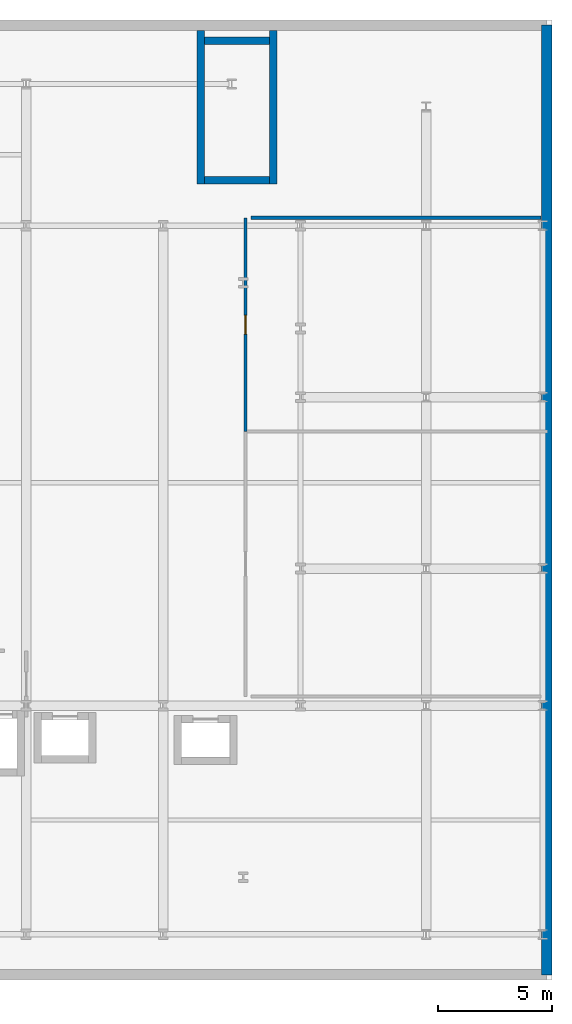
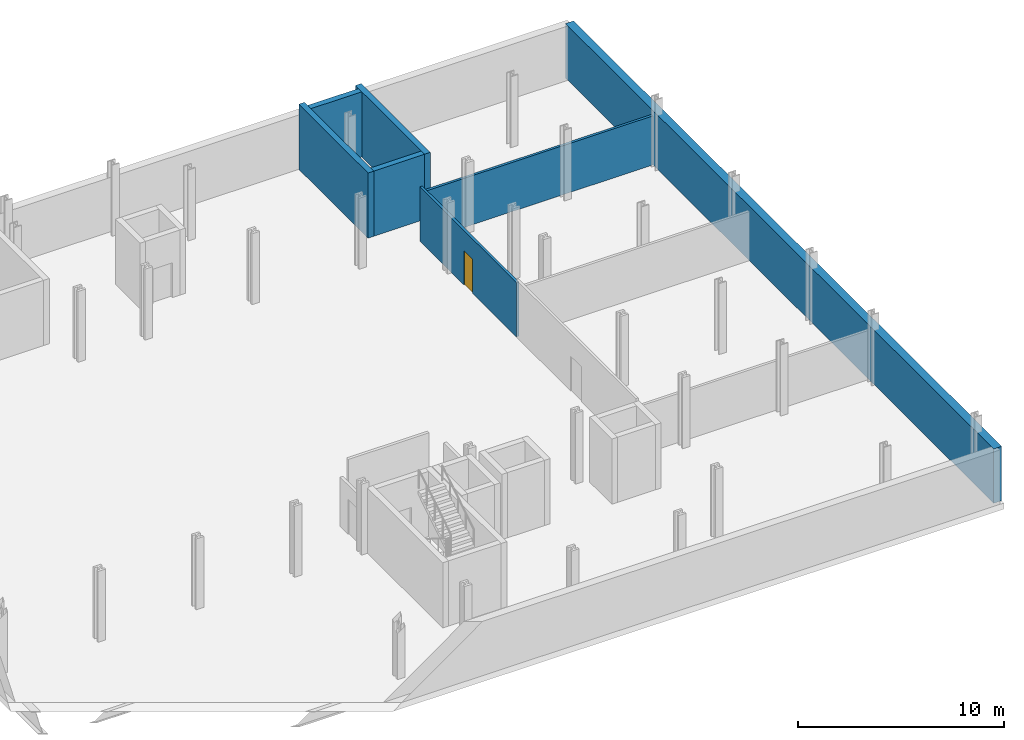
# One storey, part 8 of 12: 7 walls, 1 door, 1 opening.
"""IFC4 building model written with IfcOpenShell, lengths in metres."""

import ifcopenshell
import ifcopenshell.guid

model = None  # the IFC model being written
_history = None  # IfcOwnerHistory: only IFC2X3 demands one
_inside = {}  # id of a spatial element -> (the spatial element, [elements in it])
_under = {}  # id of a project, library or spatial element -> (it, [spatial elements below it])
_declared = {}  # id of a project -> (the project, [libraries it declares])
_typed = {}  # id of a type object -> (the type object, [elements of that type])
_made_of = {}  # id of a material, layer set ... -> (it, [elements and type objects made of it])


def new_model(schema):
    """Start an empty IFC model of exactly this schema.

    Asked for "IFC4X3", IfcOpenShell would pick the latest addendum, in which some entities
    have other attributes; the version numbers below select the first issue.
    IFC2X3 requires an IfcOwnerHistory on every rooted entity: one is made here for all.
    """
    global model, _history
    if schema == "IFC4X3":
        model = ifcopenshell.file(schema_version=(4, 3, 0, 0))
    else:
        model = ifcopenshell.file(schema=schema)
    _inside.clear()
    _under.clear()
    _declared.clear()
    _typed.clear()
    _made_of.clear()
    _history = None
    if model.schema == "IFC2X3":
        org = make("IfcOrganization", Name="unknown")
        user = make(
            "IfcPersonAndOrganization",
            ThePerson=make("IfcPerson", FamilyName="unknown"),
            TheOrganization=org,
        )
        app = make(
            "IfcApplication",
            ApplicationDeveloper=org,
            Version="unknown",
            ApplicationFullName="unknown",
            ApplicationIdentifier="unknown",
        )
        _history = make(
            "IfcOwnerHistory",
            OwningUser=user,
            OwningApplication=app,
            ChangeAction="ADDED",
            CreationDate=0,
        )
    return model


def make(cls, **values):
    """One entity of the class cls with the attributes given. An attribute that is None is left unset."""
    return model.create_entity(
        cls, **{name: value for name, value in values.items() if value is not None}
    )


def rooted(cls, **values):
    """An entity with a GlobalId (a new one), such as an element, a storey or a relation."""
    return make(cls, GlobalId=ifcopenshell.guid.new(), OwnerHistory=_history, **values)


def si_unit(unit_type, name, prefix=None):
    """IfcSIUnit, for example si_unit("LENGTHUNIT", "METRE", prefix="MILLI")."""
    return make("IfcSIUnit", UnitType=unit_type, Prefix=prefix, Name=name)


def assignment(units):
    """IfcUnitAssignment: the units of a project."""
    return None if units is None else make("IfcUnitAssignment", Units=units)


def point(xyz):
    """IfcCartesianPoint."""
    return None if xyz is None else make("IfcCartesianPoint", Coordinates=xyz)


def direction(xyz):
    """IfcDirection."""
    return None if xyz is None else make("IfcDirection", DirectionRatios=xyz)


def frame(location, z_axis=None, x_axis=None):
    """IfcAxis2Placement3D, a coordinate frame: its origin and axes. An axis left out is left unset."""
    return make(
        "IfcAxis2Placement3D",
        Location=point(location),
        Axis=direction(z_axis),
        RefDirection=direction(x_axis),
    )


def frame_2d(location, x_axis=None):
    """IfcAxis2Placement2D, a coordinate frame in the plane: its origin and x axis."""
    return make(
        "IfcAxis2Placement2D", Location=point(location), RefDirection=direction(x_axis)
    )


def origin():
    """The frame at (0, 0, 0) with its axes left unset."""
    return frame((0.0, 0.0, 0.0))


def place(relative_to, where):
    """IfcLocalPlacement: puts the frame where relative to a parent placement (None: the world)."""
    return make(
        "IfcLocalPlacement", PlacementRelTo=relative_to, RelativePlacement=where
    )


def context(
    kind, dimensions, precision=None, world=None, true_north=None, identifier=None
):
    """IfcGeometricRepresentationContext, for example the 3D "Model" context."""
    return make(
        "IfcGeometricRepresentationContext",
        ContextIdentifier=identifier,
        ContextType=kind,
        CoordinateSpaceDimension=dimensions,
        Precision=precision,
        WorldCoordinateSystem=world,
        TrueNorth=true_north,
    )


def subcontext(parent, identifier, kind, view, scale=None):
    """IfcGeometricRepresentationSubContext, for example "Body" below "Model"."""
    return make(
        "IfcGeometricRepresentationSubContext",
        ContextIdentifier=identifier,
        ContextType=kind,
        ParentContext=parent,
        TargetScale=scale,
        TargetView=view,
    )


def project(units=None, contexts=None):
    """IfcProject with its units and contexts."""
    return rooted(
        "IfcProject",
        Name="project",
        RepresentationContexts=contexts,
        UnitsInContext=assignment(units),
    )


def spatial(cls, under=None, at=None, **own):
    """A site, building, storey or space (cls), placed at a placement, below another one or the project."""
    s = rooted(cls, ObjectPlacement=at, **own)
    if under is not None:
        _under.setdefault(under.id(), (under, []))[1].append(s)
    return s


def profile(cls, at=None, kind="AREA", **sizes):
    """A parametric profile (cls). Its sizes go by their IFC names, for example OverallWidth=200.0."""
    return make(cls, ProfileType=kind, Position=at, **sizes)


def rectangle(**sizes):
    """IfcRectangleProfileDef."""
    return profile("IfcRectangleProfileDef", **sizes)


def extrude(swept, where, along, depth):
    """IfcExtrudedAreaSolid: the profile swept, set in the frame where, extruded along a direction by depth."""
    return make(
        "IfcExtrudedAreaSolid",
        SweptArea=swept,
        Position=where,
        ExtrudedDirection=direction(along),
        Depth=depth,
    )


def shape(context_of_items, identifier, shape_type, items):
    """IfcShapeRepresentation: the items that make up one representation, for example the "Body"."""
    return make(
        "IfcShapeRepresentation",
        ContextOfItems=context_of_items,
        RepresentationIdentifier=identifier,
        RepresentationType=shape_type,
        Items=items,
    )


def material(Name=None, Category=None):
    """IfcMaterial."""
    return make("IfcMaterial", Name=Name, Category=Category)


def layer(
    of_material, thickness, ventilated=None, Name=None, Category=None, Priority=None
):
    """IfcMaterialLayer: one layer of a wall or slab, of a material (None: an air gap)."""
    return make(
        "IfcMaterialLayer",
        Material=of_material,
        LayerThickness=thickness,
        IsVentilated=ventilated,
        Name=Name,
        Category=Category,
        Priority=Priority,
    )


def layer_set(layers, Name=None):
    """IfcMaterialLayerSet."""
    return make("IfcMaterialLayerSet", MaterialLayers=layers, LayerSetName=Name)


def made_of(thing, what):
    """Note that an element or type object is made of a material, layer set ...; save() writes the relation."""
    if what is not None:
        _made_of.setdefault(what.id(), (what, []))[1].append(thing)
    return thing


def type_object(cls, material=None, **own):
    """A type object (cls), such as IfcWallType, which elements share."""
    return made_of(rooted(cls, **own), material)


def element(
    cls,
    number,
    at=None,
    inside=None,
    cuts=None,
    type_object=None,
    material=None,
    context=None,
    identifier="Body",
    shape_type=None,
    held_by="IfcProductDefinitionShape",
    body=None,
    shapes=None,
    **own,
):
    """One element of the class cls, such as IfcWall. Its Tag is "e" and its number.

    at: its placement. inside: the storey or other place that contains it. cuts: it is an
    opening in that element (IfcRelVoidsElement). A single representation is given by context,
    identifier, shape_type and body (its items); several are given by shapes. held_by: the class
    of the entity that holds the representations. save() writes the other relations.
    """
    e = rooted(cls, Tag="e%d" % number, ObjectPlacement=at, **own)
    if body is not None:
        shapes = [shape(context, identifier, shape_type, body)]
    if shapes is not None:
        e.Representation = make(held_by, Representations=shapes)
    if inside is not None:
        _inside.setdefault(inside.id(), (inside, []))[1].append(e)
    if cuts is not None:
        rooted(
            "IfcRelVoidsElement", RelatingBuildingElement=cuts, RelatedOpeningElement=e
        )
    if type_object is not None:
        _typed.setdefault(type_object.id(), (type_object, []))[1].append(e)
    return made_of(e, material)


def fill(opening, filler):
    """IfcRelFillsElement: the door or window that sits in an opening."""
    return rooted(
        "IfcRelFillsElement",
        RelatingOpeningElement=opening,
        RelatedBuildingElement=filler,
    )


def aggregate(whole, parts):
    """IfcRelAggregates: a whole, such as a stair, and the parts it consists of."""
    return rooted("IfcRelAggregates", RelatingObject=whole, RelatedObjects=parts)


def save(model, path):
    """Write the relations noted so far, then the file.

    IfcRelAggregates (storeys below a building ...), IfcRelContainedInSpatialStructure (elements
    in a storey), IfcRelDefinesByType, IfcRelAssociatesMaterial and IfcRelDeclares: one each for
    every whole, place, type object, material and project.
    """
    for whole, parts in _under.values():
        aggregate(whole, parts)
    for where, things in _inside.values():
        rooted(
            "IfcRelContainedInSpatialStructure",
            RelatedElements=things,
            RelatingStructure=where,
        )
    for kind, things in _typed.values():
        rooted("IfcRelDefinesByType", RelatedObjects=things, RelatingType=kind)
    for what, things in _made_of.values():
        rooted("IfcRelAssociatesMaterial", RelatedObjects=things, RelatingMaterial=what)
    for by, libraries in _declared.values():
        rooted("IfcRelDeclares", RelatingContext=by, RelatedDefinitions=libraries)
    model.write(path)


model = new_model("IFC4")

# Units and contexts
model_context = context("Model", 3, precision=1e-05, world=origin(), true_north=direction((0.0, 1.0)))
body_context = subcontext(model_context, "Body", "Model", "MODEL_VIEW")
ifc_project = project(units=[si_unit("LENGTHUNIT", "METRE"), si_unit("AREAUNIT", "SQUARE_METRE"), si_unit("VOLUMEUNIT", "CUBIC_METRE"), si_unit("PLANEANGLEUNIT", "RADIAN"), si_unit("MASSUNIT", "GRAM", prefix="KILO")], contexts=[model_context])

# Site, building, storey
site_placement = place(None, origin())
site = spatial("IfcSite", under=ifc_project, at=site_placement, CompositionType="ELEMENT")
building_placement = place(site_placement, origin())
building = spatial("IfcBuilding", under=site, at=building_placement, Name="Brevholm Reach", CompositionType="ELEMENT")
storey_placement = place(building_placement, frame((0.0, 0.0, -4.199951171875)))
storey = spatial("IfcBuildingStorey", under=building, at=storey_placement, Name="B01", CompositionType="ELEMENT", Elevation=-4.199951171875)

# Walls
ifc_material_1 = material(Name="Concrete C60/75", Category="concrete")
ifc_layer_1 = layer(ifc_material_1, 0.320068359375)
ifc_layer_set_1 = layer_set([ifc_layer_1], Name="Concrete C60/75")
wall_type_1 = type_object("IfcWallType", Name="WAL-COR-320", PredefinedType="SHEAR", material=ifc_layer_set_1)
for number, where, z_axis, x_axis, name in (
    (1, (55.639892578125, 32.830078125, 0.0), (0.0, 0.0, 1.0), (0.0, 1.0, 0.0), "B01 North Stair Plinth Shear Wall ST-S4-W"),
    (2, (58.81005859375, 32.830078125, 0.0), (0.0, 0.0, 1.0), (0.0, 1.0, 0.0), "B01 North Stair Plinth Shear Wall ST-S4-E"),
):
    element("IfcWall", number, at=place(storey_placement, frame(where, z_axis=z_axis, x_axis=x_axis)), inside=storey, type_object=wall_type_1, Name=name, PredefinedType="SHEAR", context=body_context, shape_type="SweptSolid", body=[
        extrude(rectangle(XDim=6.719970703125, YDim=0.320068359375, at=frame_2d((3.35986328125, 0.0))), origin(), (0.0, 0.0, 1.0), 3.85986328125),
    ])
for number, where, z_axis, x_axis, name in (
    (3, (55.800048828125, 32.989990234375, 0.0), (0.0, 0.0, 1.0), (1.0, 0.0, 0.0), "B01 North Stair Plinth Shear Wall ST-S4-S"),
    (4, (55.800048828125, 39.090087890625, 0.0), (0.0, 0.0, 1.0), (1.0, 0.0, 0.0), "B01 North Stair Plinth Shear Wall ST-S4-N"),
):
    element("IfcWall", number, at=place(storey_placement, frame(where, z_axis=z_axis, x_axis=x_axis)), inside=storey, type_object=wall_type_1, Name=name, PredefinedType="SHEAR", context=body_context, shape_type="SweptSolid", body=[
        extrude(rectangle(XDim=2.849853515625, YDim=0.320068359375, at=frame_2d((1.4248046875, 0.0))), origin(), (0.0, 0.0, 1.0), 3.85986328125),
    ])

# Wall, opening, door
ifc_material_2 = material(Name="Twin-Stud Acoustic Fire-Rated Gypsum Partition 140 mm", Category="gypsum")
ifc_layer_2 = layer(ifc_material_2, 0.139892578125)
ifc_layer_set_2 = layer_set([ifc_layer_2], Name="Twin-Stud Acoustic Fire-Rated Gypsum Partition 140 mm")
wall_type_2 = type_object("IfcWallType", Name="WAL-PRT-140", PredefinedType="PARTITIONING", material=ifc_layer_set_2)
wall_1_placement = place(storey_placement, frame((57.60009765625, 21.99267578125, 0.0), z_axis=(0.0, 0.0, 1.0), x_axis=(0.0, 1.0, 0.0)))
wall_1 = element("IfcWall", 5, at=wall_1_placement, inside=storey, type_object=wall_type_2, Name="B01 Internal Partition 019", PredefinedType="PARTITIONING", context=body_context, shape_type="SweptSolid", body=[
    extrude(rectangle(XDim=9.353271484375, YDim=0.139892578125, at=frame_2d((4.6767578125, 0.0))), origin(), (0.0, 0.0, 1.0), 3.22265625),
])
opening_placement = place(wall_1_placement, frame((4.2666015625, 0.0, 0.0)))
opening = element("IfcOpeningElement", 6, at=opening_placement, cuts=wall_1, Name="Opening ID-02", PredefinedType="OPENING", context=body_context, shape_type="SweptSolid", body=[
    extrude(rectangle(XDim=0.820068359375, YDim=2.02001953125, at=frame_2d((0.41015625, 1.010009765625))), frame((0.0, 0.079833984375, 0.0), z_axis=(0.0, -1.0, 0.0), x_axis=(1.0, 0.0, 0.0)), (0.0, 0.0, 1.0), 0.159912109375),
])
ifc_material_3 = material(Name="Moisture-Resistant Painted Timber Fire-Rated Riser and Service Door", Category="wood")
door_type = type_object("IfcDoorType", Name="DOR-SRV-820", OperationType="NOTDEFINED", PredefinedType="DOOR", material=ifc_material_3)
door_placement = place(opening_placement, origin())
door = element("IfcDoor", 7, at=door_placement, inside=storey, type_object=door_type, Name="B01 Internal Door 007", OperationType="SINGLE_SWING_LEFT", OverallHeight=2.02001953125, OverallWidth=0.820068359375, PredefinedType="DOOR", context=body_context, shape_type="SweptSolid", body=[
    extrude(rectangle(XDim=0.820068359375, YDim=2.02001953125, at=frame_2d((0.41015625, 1.010009765625))), frame((0.0, 0.02490234375, 0.0), z_axis=(0.0, -1.0, 0.0), x_axis=(1.0, 0.0, 0.0)), (0.0, 0.0, 1.0), 0.050048828125),
])
fill(opening, door)

# Walls
wall_2_placement = place(storey_placement, frame((57.83984375, 31.35009765625, 0.0), z_axis=(0.0, 0.0, 1.0), x_axis=(1.0, 0.0, 0.0)))
element("IfcWall", 8, at=wall_2_placement, inside=storey, type_object=wall_type_2, Name="B01 Internal Partition 024", PredefinedType="PARTITIONING", context=body_context, shape_type="SweptSolid", body=[
    extrude(rectangle(XDim=12.695068359375, YDim=0.139892578125, at=frame_2d((6.34765625, 0.0))), origin(), (0.0, 0.0, 1.0), 2.908447265625),
])
ifc_material_4 = material(Name="Concrete C45/55", Category="concrete")
ifc_layer_3 = layer(ifc_material_4, 0.449951171875)
ifc_layer_set_3 = layer_set([ifc_layer_3], Name="Concrete C45/55")
wall_type_3 = type_object("IfcWallType", Name="WAL-RET-450", PredefinedType="SHEAR", material=ifc_layer_set_3)
wall_3_placement = place(storey_placement, frame((70.77490234375, -1.77490234375, 0.0), z_axis=(0.0, 0.0, 1.0), x_axis=(0.0, 1.0, 0.0)))
element("IfcWall", 9, at=wall_3_placement, inside=storey, type_object=wall_type_3, Name="B01 Facade Wall WAL-B01-RET-2", PredefinedType="SHEAR", context=body_context, shape_type="SweptSolid", body=[
    extrude(rectangle(XDim=41.5498046875, YDim=0.449951171875, at=frame_2d((20.77490234375, 0.0))), origin(), (0.0, 0.0, 1.0), 3.219970703125),
])

save(model, "model.ifc")
